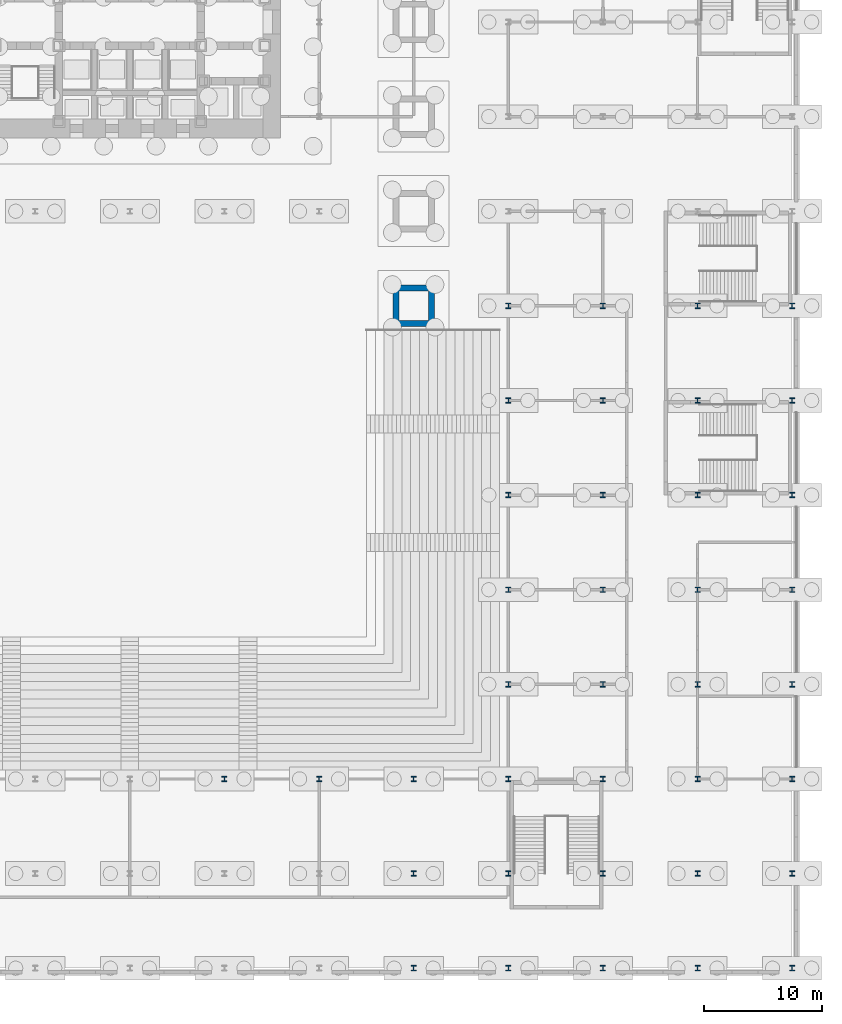
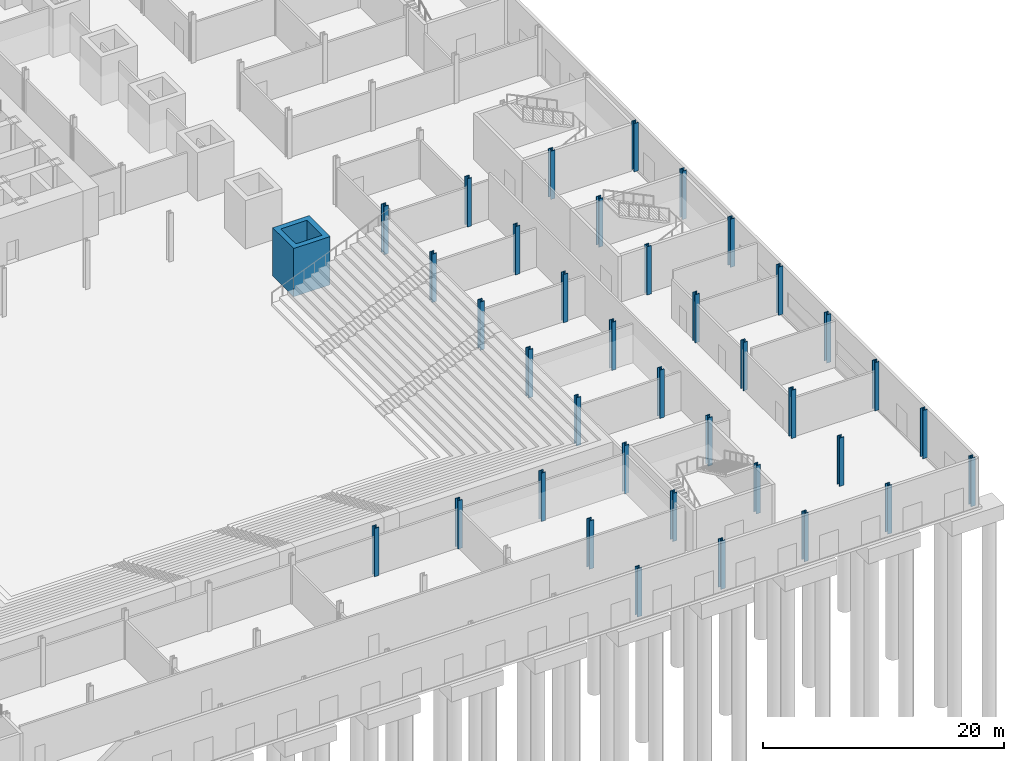
# One storey, part 5 of 24: 38 columns.
"""IFC4 building model written with IfcOpenShell, lengths in metres."""

import ifcopenshell
import ifcopenshell.guid

model = None  # the IFC model being written
_history = None  # IfcOwnerHistory: only IFC2X3 demands one
_inside = {}  # id of a spatial element -> (the spatial element, [elements in it])
_under = {}  # id of a project, library or spatial element -> (it, [spatial elements below it])
_declared = {}  # id of a project -> (the project, [libraries it declares])
_typed = {}  # id of a type object -> (the type object, [elements of that type])
_made_of = {}  # id of a material, layer set ... -> (it, [elements and type objects made of it])


def new_model(schema):
    """Start an empty IFC model of exactly this schema.

    Asked for "IFC4X3", IfcOpenShell would pick the latest addendum, in which some entities
    have other attributes; the version numbers below select the first issue.
    IFC2X3 requires an IfcOwnerHistory on every rooted entity: one is made here for all.
    """
    global model, _history
    if schema == "IFC4X3":
        model = ifcopenshell.file(schema_version=(4, 3, 0, 0))
    else:
        model = ifcopenshell.file(schema=schema)
    _inside.clear()
    _under.clear()
    _declared.clear()
    _typed.clear()
    _made_of.clear()
    _history = None
    if model.schema == "IFC2X3":
        org = make("IfcOrganization", Name="unknown")
        user = make(
            "IfcPersonAndOrganization",
            ThePerson=make("IfcPerson", FamilyName="unknown"),
            TheOrganization=org,
        )
        app = make(
            "IfcApplication",
            ApplicationDeveloper=org,
            Version="unknown",
            ApplicationFullName="unknown",
            ApplicationIdentifier="unknown",
        )
        _history = make(
            "IfcOwnerHistory",
            OwningUser=user,
            OwningApplication=app,
            ChangeAction="ADDED",
            CreationDate=0,
        )
    return model


def make(cls, **values):
    """One entity of the class cls with the attributes given. An attribute that is None is left unset."""
    return model.create_entity(
        cls, **{name: value for name, value in values.items() if value is not None}
    )


def rooted(cls, **values):
    """An entity with a GlobalId (a new one), such as an element, a storey or a relation."""
    return make(cls, GlobalId=ifcopenshell.guid.new(), OwnerHistory=_history, **values)


def si_unit(unit_type, name, prefix=None):
    """IfcSIUnit, for example si_unit("LENGTHUNIT", "METRE", prefix="MILLI")."""
    return make("IfcSIUnit", UnitType=unit_type, Prefix=prefix, Name=name)


def assignment(units):
    """IfcUnitAssignment: the units of a project."""
    return None if units is None else make("IfcUnitAssignment", Units=units)


def point(xyz):
    """IfcCartesianPoint."""
    return None if xyz is None else make("IfcCartesianPoint", Coordinates=xyz)


def direction(xyz):
    """IfcDirection."""
    return None if xyz is None else make("IfcDirection", DirectionRatios=xyz)


def frame(location, z_axis=None, x_axis=None):
    """IfcAxis2Placement3D, a coordinate frame: its origin and axes. An axis left out is left unset."""
    return make(
        "IfcAxis2Placement3D",
        Location=point(location),
        Axis=direction(z_axis),
        RefDirection=direction(x_axis),
    )


def frame_2d(location, x_axis=None):
    """IfcAxis2Placement2D, a coordinate frame in the plane: its origin and x axis."""
    return make(
        "IfcAxis2Placement2D", Location=point(location), RefDirection=direction(x_axis)
    )


def origin():
    """The frame at (0, 0, 0) with its axes left unset."""
    return frame((0.0, 0.0, 0.0))


def origin_2d():
    """The frame at (0, 0) in the plane with its x axis left unset."""
    return frame_2d((0.0, 0.0))


def place(relative_to, where):
    """IfcLocalPlacement: puts the frame where relative to a parent placement (None: the world)."""
    return make(
        "IfcLocalPlacement", PlacementRelTo=relative_to, RelativePlacement=where
    )


def context(
    kind, dimensions, precision=None, world=None, true_north=None, identifier=None
):
    """IfcGeometricRepresentationContext, for example the 3D "Model" context."""
    return make(
        "IfcGeometricRepresentationContext",
        ContextIdentifier=identifier,
        ContextType=kind,
        CoordinateSpaceDimension=dimensions,
        Precision=precision,
        WorldCoordinateSystem=world,
        TrueNorth=true_north,
    )


def subcontext(parent, identifier, kind, view, scale=None):
    """IfcGeometricRepresentationSubContext, for example "Body" below "Model"."""
    return make(
        "IfcGeometricRepresentationSubContext",
        ContextIdentifier=identifier,
        ContextType=kind,
        ParentContext=parent,
        TargetScale=scale,
        TargetView=view,
    )


def project(units=None, contexts=None):
    """IfcProject with its units and contexts."""
    return rooted(
        "IfcProject",
        Name="project",
        RepresentationContexts=contexts,
        UnitsInContext=assignment(units),
    )


def spatial(cls, under=None, at=None, **own):
    """A site, building, storey or space (cls), placed at a placement, below another one or the project."""
    s = rooted(cls, ObjectPlacement=at, **own)
    if under is not None:
        _under.setdefault(under.id(), (under, []))[1].append(s)
    return s


def profile(cls, at=None, kind="AREA", **sizes):
    """A parametric profile (cls). Its sizes go by their IFC names, for example OverallWidth=200.0."""
    return make(cls, ProfileType=kind, Position=at, **sizes)


def hollow_rectangle(**sizes):
    """IfcRectangleHollowProfileDef."""
    return profile("IfcRectangleHollowProfileDef", **sizes)


def i_section(**sizes):
    """IfcIShapeProfileDef."""
    return profile("IfcIShapeProfileDef", **sizes)


def extrude(swept, where, along, depth):
    """IfcExtrudedAreaSolid: the profile swept, set in the frame where, extruded along a direction by depth."""
    return make(
        "IfcExtrudedAreaSolid",
        SweptArea=swept,
        Position=where,
        ExtrudedDirection=direction(along),
        Depth=depth,
    )


def shape(context_of_items, identifier, shape_type, items):
    """IfcShapeRepresentation: the items that make up one representation, for example the "Body"."""
    return make(
        "IfcShapeRepresentation",
        ContextOfItems=context_of_items,
        RepresentationIdentifier=identifier,
        RepresentationType=shape_type,
        Items=items,
    )


def material(Name=None, Category=None):
    """IfcMaterial."""
    return make("IfcMaterial", Name=Name, Category=Category)


def material_profile(
    of_material, cross_section, Name=None, Category=None, Priority=None
):
    """IfcMaterialProfile: a cross section and its material."""
    return make(
        "IfcMaterialProfile",
        Name=Name,
        Material=of_material,
        Profile=cross_section,
        Priority=Priority,
        Category=Category,
    )


def profile_set(profiles, Name=None, composite=None):
    """IfcMaterialProfileSet."""
    return make(
        "IfcMaterialProfileSet",
        Name=Name,
        MaterialProfiles=profiles,
        CompositeProfile=composite,
    )


def made_of(thing, what):
    """Note that an element or type object is made of a material, layer set ...; save() writes the relation."""
    if what is not None:
        _made_of.setdefault(what.id(), (what, []))[1].append(thing)
    return thing


def type_object(cls, material=None, **own):
    """A type object (cls), such as IfcWallType, which elements share."""
    return made_of(rooted(cls, **own), material)


def element(
    cls,
    number,
    at=None,
    inside=None,
    cuts=None,
    type_object=None,
    material=None,
    context=None,
    identifier="Body",
    shape_type=None,
    held_by="IfcProductDefinitionShape",
    body=None,
    shapes=None,
    **own,
):
    """One element of the class cls, such as IfcWall. Its Tag is "e" and its number.

    at: its placement. inside: the storey or other place that contains it. cuts: it is an
    opening in that element (IfcRelVoidsElement). A single representation is given by context,
    identifier, shape_type and body (its items); several are given by shapes. held_by: the class
    of the entity that holds the representations. save() writes the other relations.
    """
    e = rooted(cls, Tag="e%d" % number, ObjectPlacement=at, **own)
    if body is not None:
        shapes = [shape(context, identifier, shape_type, body)]
    if shapes is not None:
        e.Representation = make(held_by, Representations=shapes)
    if inside is not None:
        _inside.setdefault(inside.id(), (inside, []))[1].append(e)
    if cuts is not None:
        rooted(
            "IfcRelVoidsElement", RelatingBuildingElement=cuts, RelatedOpeningElement=e
        )
    if type_object is not None:
        _typed.setdefault(type_object.id(), (type_object, []))[1].append(e)
    return made_of(e, material)


def aggregate(whole, parts):
    """IfcRelAggregates: a whole, such as a stair, and the parts it consists of."""
    return rooted("IfcRelAggregates", RelatingObject=whole, RelatedObjects=parts)


def save(model, path):
    """Write the relations noted so far, then the file.

    IfcRelAggregates (storeys below a building ...), IfcRelContainedInSpatialStructure (elements
    in a storey), IfcRelDefinesByType, IfcRelAssociatesMaterial and IfcRelDeclares: one each for
    every whole, place, type object, material and project.
    """
    for whole, parts in _under.values():
        aggregate(whole, parts)
    for where, things in _inside.values():
        rooted(
            "IfcRelContainedInSpatialStructure",
            RelatedElements=things,
            RelatingStructure=where,
        )
    for kind, things in _typed.values():
        rooted("IfcRelDefinesByType", RelatedObjects=things, RelatingType=kind)
    for what, things in _made_of.values():
        rooted("IfcRelAssociatesMaterial", RelatedObjects=things, RelatingMaterial=what)
    for by, libraries in _declared.values():
        rooted("IfcRelDeclares", RelatingContext=by, RelatedDefinitions=libraries)
    model.write(path)


model = new_model("IFC4")

# Units and contexts
model_context = context("Model", 3, precision=1e-05, world=origin(), true_north=direction((0.0, 1.0)))
body_context = subcontext(model_context, "Body", "Model", "MODEL_VIEW")
ifc_project = project(units=[si_unit("LENGTHUNIT", "METRE"), si_unit("AREAUNIT", "SQUARE_METRE"), si_unit("VOLUMEUNIT", "CUBIC_METRE"), si_unit("PLANEANGLEUNIT", "RADIAN"), si_unit("MASSUNIT", "GRAM", prefix="KILO")], contexts=[model_context])

# Site, building, storey
site_placement = place(None, origin())
site = spatial("IfcSite", under=ifc_project, at=site_placement, CompositionType="ELEMENT")
building_placement = place(site_placement, origin())
building = spatial("IfcBuilding", under=site, at=building_placement, Name="Daluyong Arena Tower", CompositionType="ELEMENT")
storey_placement = place(building_placement, origin())
storey = spatial("IfcBuildingStorey", under=building, at=storey_placement, Name="L00", CompositionType="ELEMENT", Elevation=0.0)

# Columns
ifc_material_1 = material(Name="Steel ASTM A913 Grade 65", Category="steel")
ifc_material_profile_1 = material_profile(ifc_material_1, i_section(OverallWidth=0.419189453125, OverallDepth=0.45458984375, WebThickness=0.042236328125, FlangeThickness=0.067626953125, at=origin_2d()))
ifc_profile_set_1 = profile_set([ifc_material_profile_1], Name="Steel ASTM A913 Grade 65")
column_type_1 = type_object("IfcColumnType", Name="Podium column W14X370", PredefinedType="COLUMN", material=ifc_profile_set_1)
for number, where, z_axis, x_axis, name in (
    (1, (64.0, 16.0, 0.0), (0.0, 0.0, 1.0), (1.0, 0.0, 0.0), "podium column PC1"),
    (2, (72.0, 16.0, 0.0), (0.0, 0.0, 1.0), (1.0, 0.0, 0.0), "podium column PC1"),
    (3, (80.0, 0.0, 0.0), (0.0, 0.0, 1.0), (1.0, 0.0, 0.0), "podium column PC1"),
    (4, (80.0, 8.0, 0.0), (0.0, 0.0, 1.0), (1.0, 0.0, 0.0), "podium column PC1"),
    (5, (80.0, 16.0, 0.0), (0.0, 0.0, 1.0), (1.0, 0.0, 0.0), "podium column PC1"),
    (6, (88.0, 0.0, 0.0), (0.0, 0.0, 1.0), (1.0, 0.0, 0.0), "podium column PC1"),
    (7, (88.0, 8.0, 0.0), (0.0, 0.0, 1.0), (1.0, 0.0, 0.0), "podium column PC1"),
    (8, (88.0, 16.0, 0.0), (0.0, 0.0, 1.0), (1.0, 0.0, 0.0), "podium column PC1"),
    (9, (88.0, 24.0, 0.0), (0.0, 0.0, 1.0), (1.0, 0.0, 0.0), "podium column PC1"),
    (10, (88.0, 32.0, 0.0), (0.0, 0.0, 1.0), (1.0, 0.0, 0.0), "podium column PC1"),
    (11, (88.0, 40.0, 0.0), (0.0, 0.0, 1.0), (1.0, 0.0, 0.0), "podium column PC1"),
    (12, (88.0, 48.0, 0.0), (0.0, 0.0, 1.0), (1.0, 0.0, 0.0), "podium column PC1"),
    (13, (88.0, 56.0, 0.0), (0.0, 0.0, 1.0), (1.0, 0.0, 0.0), "podium column PC1"),
    (14, (96.0, 0.0, 0.0), (0.0, 0.0, 1.0), (1.0, 0.0, 0.0), "podium column PC1"),
    (15, (96.0, 8.0, 0.0), (0.0, 0.0, 1.0), (1.0, 0.0, 0.0), "podium column PC1"),
    (16, (96.0, 16.0, 0.0), (0.0, 0.0, 1.0), (1.0, 0.0, 0.0), "podium column PC1"),
    (17, (96.0, 24.0, 0.0), (0.0, 0.0, 1.0), (1.0, 0.0, 0.0), "podium column PC1"),
    (18, (96.0, 32.0, 0.0), (0.0, 0.0, 1.0), (1.0, 0.0, 0.0), "podium column PC1"),
    (19, (96.0, 40.0, 0.0), (0.0, 0.0, 1.0), (1.0, 0.0, 0.0), "podium column PC1"),
    (20, (96.0, 48.0, 0.0), (0.0, 0.0, 1.0), (1.0, 0.0, 0.0), "podium column PC1"),
    (21, (96.0, 56.0, 0.0), (0.0, 0.0, 1.0), (1.0, 0.0, 0.0), "podium column PC1"),
    (22, (104.0, 0.0, 0.0), (0.0, 0.0, 1.0), (1.0, 0.0, 0.0), "podium column PC1"),
    (23, (104.0, 8.0, 0.0), (0.0, 0.0, 1.0), (1.0, 0.0, 0.0), "podium column PC1"),
    (24, (104.0, 16.0, 0.0), (0.0, 0.0, 1.0), (1.0, 0.0, 0.0), "podium column PC1"),
    (25, (104.0, 24.0, 0.0), (0.0, 0.0, 1.0), (1.0, 0.0, 0.0), "podium column PC1"),
    (26, (104.0, 32.0, 0.0), (0.0, 0.0, 1.0), (1.0, 0.0, 0.0), "podium column PC1"),
    (27, (104.0, 40.0, 0.0), (0.0, 0.0, 1.0), (1.0, 0.0, 0.0), "podium column PC1"),
    (28, (104.0, 48.0, 0.0), (0.0, 0.0, 1.0), (1.0, 0.0, 0.0), "podium column PC1"),
    (29, (104.0, 56.0, 0.0), (0.0, 0.0, 1.0), (1.0, 0.0, 0.0), "podium column PC1"),
    (30, (112.0, 0.0, 0.0), (0.0, 0.0, 1.0), (1.0, 0.0, 0.0), "podium column PC1"),
    (31, (112.0, 8.0, 0.0), (0.0, 0.0, 1.0), (1.0, 0.0, 0.0), "podium column PC1"),
    (32, (112.0, 16.0, 0.0), (0.0, 0.0, 1.0), (1.0, 0.0, 0.0), "podium column PC1"),
    (33, (112.0, 24.0, 0.0), (0.0, 0.0, 1.0), (1.0, 0.0, 0.0), "podium column PC1"),
    (34, (112.0, 32.0, 0.0), (0.0, 0.0, 1.0), (1.0, 0.0, 0.0), "podium column PC1"),
    (35, (112.0, 40.0, 0.0), (0.0, 0.0, 1.0), (1.0, 0.0, 0.0), "podium column PC1"),
    (36, (112.0, 48.0, 0.0), (0.0, 0.0, 1.0), (1.0, 0.0, 0.0), "podium column PC1"),
    (37, (112.0, 56.0, 0.0), (0.0, 0.0, 1.0), (1.0, 0.0, 0.0), "podium column PC1"),
):
    element("IfcColumn", number, at=place(storey_placement, frame(where, z_axis=z_axis, x_axis=x_axis)), inside=storey, type_object=column_type_1, Name=name, PredefinedType="COLUMN", context=body_context, shape_type="SweptSolid", body=[
        extrude(i_section(OverallWidth=0.419189453125, OverallDepth=0.45458984375, WebThickness=0.042236328125, FlangeThickness=0.067626953125, at=origin_2d()), origin(), (0.0, 0.0, 1.0), 4.89990234375),
    ])
ifc_material_2 = material(Name="Steel ASTM A36", Category="steel")
ifc_material_profile_2 = material_profile(ifc_material_2, hollow_rectangle(XDim=3.5, YDim=3.5, WallThickness=0.5, at=origin_2d()))
ifc_profile_set_2 = profile_set([ifc_material_profile_2], Name="Steel ASTM A36")
column_type_2 = type_object("IfcColumnType", Name="Podium megacolumn BX3500X500", PredefinedType="COLUMN", material=ifc_profile_set_2)
column_placement = place(storey_placement, frame((80.0, 56.0, 0.0), z_axis=(0.0, 0.0, 1.0), x_axis=(1.0, 0.0, 0.0)))
element("IfcColumn", 38, at=column_placement, inside=storey, type_object=column_type_2, Name="podium megacolumn MC1", PredefinedType="COLUMN", context=body_context, shape_type="SweptSolid", body=[
    extrude(hollow_rectangle(XDim=3.5, YDim=3.5, WallThickness=0.5, at=origin_2d()), origin(), (0.0, 0.0, 1.0), 4.89990234375),
])

save(model, "model.ifc")
